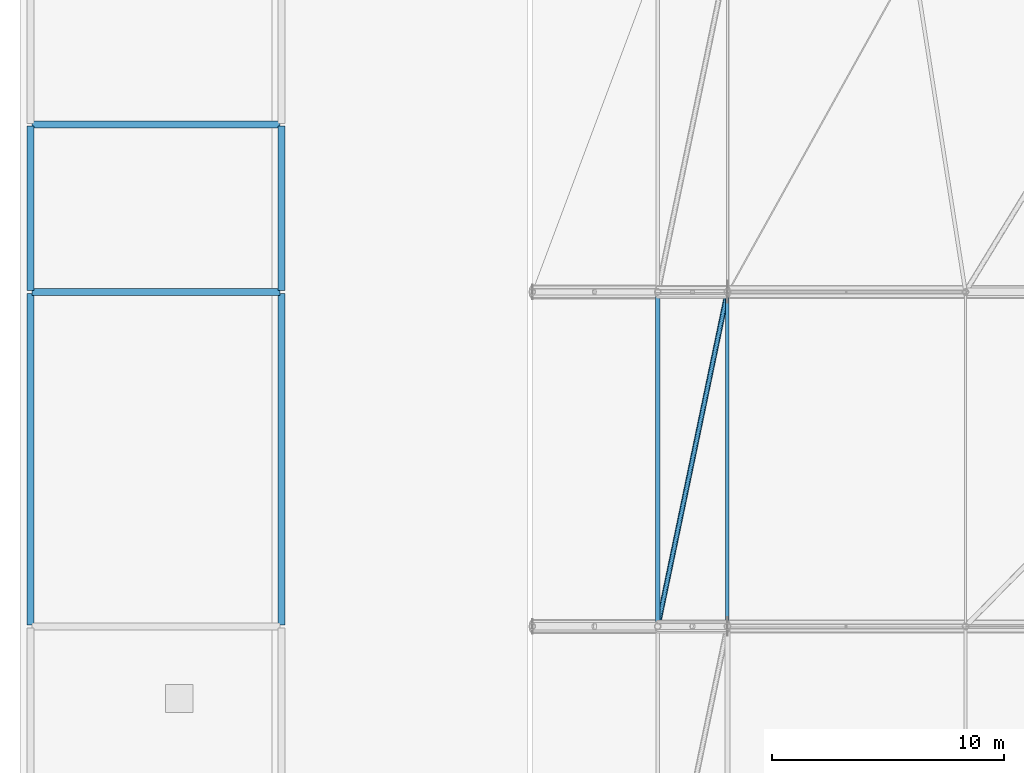
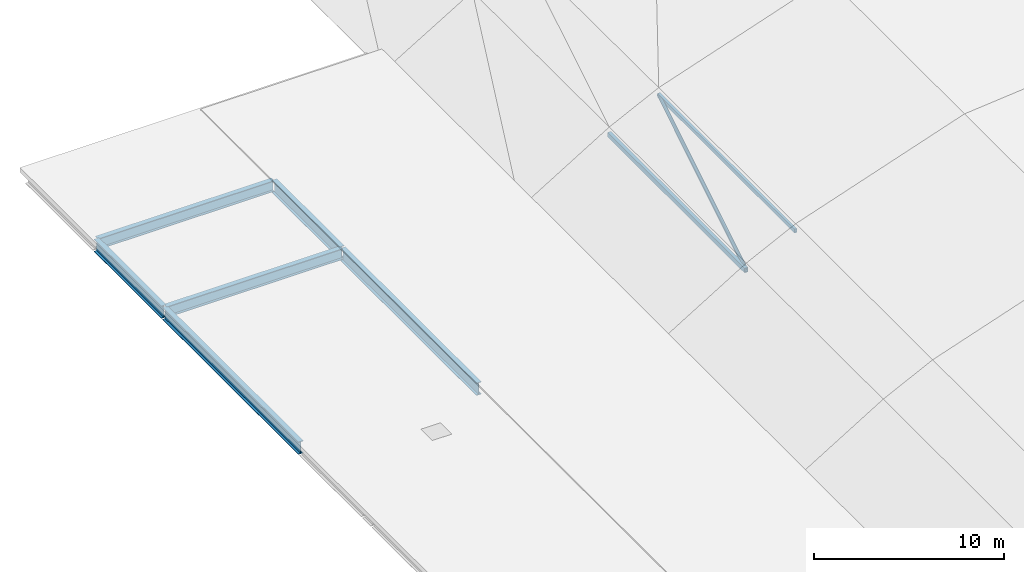
# One storey, part 10 of 36: 6 beams, 3 members.
"""IFC4 building model written with IfcOpenShell, lengths in metres."""

import ifcopenshell
import ifcopenshell.guid

model = None  # the IFC model being written
_history = None  # IfcOwnerHistory: only IFC2X3 demands one
_inside = {}  # id of a spatial element -> (the spatial element, [elements in it])
_under = {}  # id of a project, library or spatial element -> (it, [spatial elements below it])
_declared = {}  # id of a project -> (the project, [libraries it declares])
_typed = {}  # id of a type object -> (the type object, [elements of that type])
_made_of = {}  # id of a material, layer set ... -> (it, [elements and type objects made of it])


def new_model(schema):
    """Start an empty IFC model of exactly this schema.

    Asked for "IFC4X3", IfcOpenShell would pick the latest addendum, in which some entities
    have other attributes; the version numbers below select the first issue.
    IFC2X3 requires an IfcOwnerHistory on every rooted entity: one is made here for all.
    """
    global model, _history
    if schema == "IFC4X3":
        model = ifcopenshell.file(schema_version=(4, 3, 0, 0))
    else:
        model = ifcopenshell.file(schema=schema)
    _inside.clear()
    _under.clear()
    _declared.clear()
    _typed.clear()
    _made_of.clear()
    _history = None
    if model.schema == "IFC2X3":
        org = make("IfcOrganization", Name="unknown")
        user = make(
            "IfcPersonAndOrganization",
            ThePerson=make("IfcPerson", FamilyName="unknown"),
            TheOrganization=org,
        )
        app = make(
            "IfcApplication",
            ApplicationDeveloper=org,
            Version="unknown",
            ApplicationFullName="unknown",
            ApplicationIdentifier="unknown",
        )
        _history = make(
            "IfcOwnerHistory",
            OwningUser=user,
            OwningApplication=app,
            ChangeAction="ADDED",
            CreationDate=0,
        )
    return model


def make(cls, **values):
    """One entity of the class cls with the attributes given. An attribute that is None is left unset."""
    return model.create_entity(
        cls, **{name: value for name, value in values.items() if value is not None}
    )


def rooted(cls, **values):
    """An entity with a GlobalId (a new one), such as an element, a storey or a relation."""
    return make(cls, GlobalId=ifcopenshell.guid.new(), OwnerHistory=_history, **values)


def si_unit(unit_type, name, prefix=None):
    """IfcSIUnit, for example si_unit("LENGTHUNIT", "METRE", prefix="MILLI")."""
    return make("IfcSIUnit", UnitType=unit_type, Prefix=prefix, Name=name)


def assignment(units):
    """IfcUnitAssignment: the units of a project."""
    return None if units is None else make("IfcUnitAssignment", Units=units)


def point(xyz):
    """IfcCartesianPoint."""
    return None if xyz is None else make("IfcCartesianPoint", Coordinates=xyz)


def direction(xyz):
    """IfcDirection."""
    return None if xyz is None else make("IfcDirection", DirectionRatios=xyz)


def frame(location, z_axis=None, x_axis=None):
    """IfcAxis2Placement3D, a coordinate frame: its origin and axes. An axis left out is left unset."""
    return make(
        "IfcAxis2Placement3D",
        Location=point(location),
        Axis=direction(z_axis),
        RefDirection=direction(x_axis),
    )


def frame_2d(location, x_axis=None):
    """IfcAxis2Placement2D, a coordinate frame in the plane: its origin and x axis."""
    return make(
        "IfcAxis2Placement2D", Location=point(location), RefDirection=direction(x_axis)
    )


def origin():
    """The frame at (0, 0, 0) with its axes left unset."""
    return frame((0.0, 0.0, 0.0))


def origin_2d():
    """The frame at (0, 0) in the plane with its x axis left unset."""
    return frame_2d((0.0, 0.0))


def place(relative_to, where):
    """IfcLocalPlacement: puts the frame where relative to a parent placement (None: the world)."""
    return make(
        "IfcLocalPlacement", PlacementRelTo=relative_to, RelativePlacement=where
    )


def context(
    kind, dimensions, precision=None, world=None, true_north=None, identifier=None
):
    """IfcGeometricRepresentationContext, for example the 3D "Model" context."""
    return make(
        "IfcGeometricRepresentationContext",
        ContextIdentifier=identifier,
        ContextType=kind,
        CoordinateSpaceDimension=dimensions,
        Precision=precision,
        WorldCoordinateSystem=world,
        TrueNorth=true_north,
    )


def subcontext(parent, identifier, kind, view, scale=None):
    """IfcGeometricRepresentationSubContext, for example "Body" below "Model"."""
    return make(
        "IfcGeometricRepresentationSubContext",
        ContextIdentifier=identifier,
        ContextType=kind,
        ParentContext=parent,
        TargetScale=scale,
        TargetView=view,
    )


def project(units=None, contexts=None):
    """IfcProject with its units and contexts."""
    return rooted(
        "IfcProject",
        Name="project",
        RepresentationContexts=contexts,
        UnitsInContext=assignment(units),
    )


def spatial(cls, under=None, at=None, **own):
    """A site, building, storey or space (cls), placed at a placement, below another one or the project."""
    s = rooted(cls, ObjectPlacement=at, **own)
    if under is not None:
        _under.setdefault(under.id(), (under, []))[1].append(s)
    return s


def profile(cls, at=None, kind="AREA", **sizes):
    """A parametric profile (cls). Its sizes go by their IFC names, for example OverallWidth=200.0."""
    return make(cls, ProfileType=kind, Position=at, **sizes)


def hollow_rectangle(**sizes):
    """IfcRectangleHollowProfileDef."""
    return profile("IfcRectangleHollowProfileDef", **sizes)


def hollow_circle(**sizes):
    """IfcCircleHollowProfileDef."""
    return profile("IfcCircleHollowProfileDef", **sizes)


def i_section(**sizes):
    """IfcIShapeProfileDef."""
    return profile("IfcIShapeProfileDef", **sizes)


def extrude(swept, where, along, depth):
    """IfcExtrudedAreaSolid: the profile swept, set in the frame where, extruded along a direction by depth."""
    return make(
        "IfcExtrudedAreaSolid",
        SweptArea=swept,
        Position=where,
        ExtrudedDirection=direction(along),
        Depth=depth,
    )


def shape(context_of_items, identifier, shape_type, items):
    """IfcShapeRepresentation: the items that make up one representation, for example the "Body"."""
    return make(
        "IfcShapeRepresentation",
        ContextOfItems=context_of_items,
        RepresentationIdentifier=identifier,
        RepresentationType=shape_type,
        Items=items,
    )


def material(Name=None, Category=None):
    """IfcMaterial."""
    return make("IfcMaterial", Name=Name, Category=Category)


def material_profile(
    of_material, cross_section, Name=None, Category=None, Priority=None
):
    """IfcMaterialProfile: a cross section and its material."""
    return make(
        "IfcMaterialProfile",
        Name=Name,
        Material=of_material,
        Profile=cross_section,
        Priority=Priority,
        Category=Category,
    )


def profile_set(profiles, Name=None, composite=None):
    """IfcMaterialProfileSet."""
    return make(
        "IfcMaterialProfileSet",
        Name=Name,
        MaterialProfiles=profiles,
        CompositeProfile=composite,
    )


def made_of(thing, what):
    """Note that an element or type object is made of a material, layer set ...; save() writes the relation."""
    if what is not None:
        _made_of.setdefault(what.id(), (what, []))[1].append(thing)
    return thing


def type_object(cls, material=None, **own):
    """A type object (cls), such as IfcWallType, which elements share."""
    return made_of(rooted(cls, **own), material)


def element(
    cls,
    number,
    at=None,
    inside=None,
    cuts=None,
    type_object=None,
    material=None,
    context=None,
    identifier="Body",
    shape_type=None,
    held_by="IfcProductDefinitionShape",
    body=None,
    shapes=None,
    **own,
):
    """One element of the class cls, such as IfcWall. Its Tag is "e" and its number.

    at: its placement. inside: the storey or other place that contains it. cuts: it is an
    opening in that element (IfcRelVoidsElement). A single representation is given by context,
    identifier, shape_type and body (its items); several are given by shapes. held_by: the class
    of the entity that holds the representations. save() writes the other relations.
    """
    e = rooted(cls, Tag="e%d" % number, ObjectPlacement=at, **own)
    if body is not None:
        shapes = [shape(context, identifier, shape_type, body)]
    if shapes is not None:
        e.Representation = make(held_by, Representations=shapes)
    if inside is not None:
        _inside.setdefault(inside.id(), (inside, []))[1].append(e)
    if cuts is not None:
        rooted(
            "IfcRelVoidsElement", RelatingBuildingElement=cuts, RelatedOpeningElement=e
        )
    if type_object is not None:
        _typed.setdefault(type_object.id(), (type_object, []))[1].append(e)
    return made_of(e, material)


def aggregate(whole, parts):
    """IfcRelAggregates: a whole, such as a stair, and the parts it consists of."""
    return rooted("IfcRelAggregates", RelatingObject=whole, RelatedObjects=parts)


def save(model, path):
    """Write the relations noted so far, then the file.

    IfcRelAggregates (storeys below a building ...), IfcRelContainedInSpatialStructure (elements
    in a storey), IfcRelDefinesByType, IfcRelAssociatesMaterial and IfcRelDeclares: one each for
    every whole, place, type object, material and project.
    """
    for whole, parts in _under.values():
        aggregate(whole, parts)
    for where, things in _inside.values():
        rooted(
            "IfcRelContainedInSpatialStructure",
            RelatedElements=things,
            RelatingStructure=where,
        )
    for kind, things in _typed.values():
        rooted("IfcRelDefinesByType", RelatedObjects=things, RelatingType=kind)
    for what, things in _made_of.values():
        rooted("IfcRelAssociatesMaterial", RelatedObjects=things, RelatingMaterial=what)
    for by, libraries in _declared.values():
        rooted("IfcRelDeclares", RelatingContext=by, RelatedDefinitions=libraries)
    model.write(path)


model = new_model("IFC4")

# Units and contexts
model_context = context("Model", 3, precision=1e-05, world=origin(), true_north=direction((0.0, 1.0)))
body_context = subcontext(model_context, "Body", "Model", "MODEL_VIEW")
ifc_project = project(units=[si_unit("LENGTHUNIT", "METRE"), si_unit("AREAUNIT", "SQUARE_METRE"), si_unit("VOLUMEUNIT", "CUBIC_METRE"), si_unit("PLANEANGLEUNIT", "RADIAN"), si_unit("MASSUNIT", "GRAM", prefix="KILO")], contexts=[model_context])

# Site, building, storey
site_placement = place(None, origin())
site = spatial("IfcSite", under=ifc_project, at=site_placement, CompositionType="ELEMENT")
building_placement = place(site_placement, origin())
building = spatial("IfcBuilding", under=site, at=building_placement, Name="Koshinbarg Plaza Stadium", CompositionType="ELEMENT")
storey_placement = place(building_placement, frame((0.0, 0.0, 34.199951171875)))
storey = spatial("IfcBuildingStorey", under=building, at=storey_placement, Name="RF", CompositionType="ELEMENT", Elevation=34.199951171875)

# Beams
ifc_material = material(Name="Steel S355", Category="steel")
ifc_material_profile_1 = material_profile(ifc_material, i_section(OverallWidth=0.300048828125, OverallDepth=0.699951171875, WebThickness=0.01708984375, FlangeThickness=0.031982421875, at=origin_2d()), Name="HEB 700")
ifc_profile_set_1 = profile_set([ifc_material_profile_1], Name="Steel S355")
beam_type_1 = type_object("IfcBeamType", Name="BM-SGIR-03", PredefinedType="USERDEFINED", material=ifc_profile_set_1)
for number, where, z_axis, x_axis, name in (
    (1, (24.659912109375, 97.5, -0.64990234375), (1.0, 0.0, 0.0), (0.0, 1.0, 0.0), "RF roof girder N/5-6"),
    (2, (24.659912109375, 104.699951171875, -0.64990234375), (1.0, 0.0, 0.0), (0.0, 1.0, 0.0), "RF roof girder P/5-6"),
):
    element("IfcBeam", number, at=place(storey_placement, frame(where, z_axis=z_axis, x_axis=x_axis)), inside=storey, type_object=beam_type_1, Name=name, ObjectType="GIRDER", PredefinedType="USERDEFINED", context=body_context, shape_type="SweptSolid", body=[
        extrude(i_section(OverallWidth=0.300048828125, OverallDepth=0.699951171875, WebThickness=0.01708984375, FlangeThickness=0.031982421875, at=origin_2d()), origin(), (0.0, 0.0, 1.0), 10.68017578125),
    ])
ifc_material_profile_2 = material_profile(ifc_material, i_section(OverallWidth=0.300048828125, OverallDepth=0.800048828125, WebThickness=0.017578125, FlangeThickness=0.032958984375, at=origin_2d()), Name="HEB 800")
ifc_profile_set_2 = profile_set([ifc_material_profile_2], Name="Steel S355")
beam_type_2 = type_object("IfcBeamType", Name="BM-SGIR-04", PredefinedType="USERDEFINED", material=ifc_profile_set_2)
beam_1_placement = place(storey_placement, frame((24.60009765625, 83.159912109375, -0.699951171875), z_axis=(0.0, 1.0, 0.0), x_axis=(-1.0, 0.0, 0.0)))
element("IfcBeam", 3, at=beam_1_placement, inside=storey, type_object=beam_type_2, Name="RF roof girder 5/M-N", ObjectType="GIRDER", PredefinedType="USERDEFINED", context=body_context, shape_type="SweptSolid", body=[
    extrude(i_section(OverallWidth=0.300048828125, OverallDepth=0.800048828125, WebThickness=0.017578125, FlangeThickness=0.032958984375, at=origin_2d()), origin(), (0.0, 0.0, 1.0), 14.280029296875),
])
beam_2_placement = place(storey_placement, frame((24.60009765625, 97.56005859375, -0.699951171875), z_axis=(0.0, 1.0, 0.0), x_axis=(-1.0, 0.0, 0.0)))
element("IfcBeam", 4, at=beam_2_placement, inside=storey, type_object=beam_type_2, Name="RF roof girder 5/N-P", ObjectType="GIRDER", PredefinedType="USERDEFINED", context=body_context, shape_type="SweptSolid", body=[
    extrude(i_section(OverallWidth=0.300048828125, OverallDepth=0.800048828125, WebThickness=0.017578125, FlangeThickness=0.032958984375, at=origin_2d()), origin(), (0.0, 0.0, 1.0), 7.079833984375),
])
beam_3_placement = place(storey_placement, frame((35.39990234375, 83.159912109375, -0.699951171875), z_axis=(0.0, 1.0, 0.0), x_axis=(-1.0, 0.0, 0.0)))
element("IfcBeam", 5, at=beam_3_placement, inside=storey, type_object=beam_type_2, Name="RF roof girder 6/M-N", ObjectType="GIRDER", PredefinedType="USERDEFINED", context=body_context, shape_type="SweptSolid", body=[
    extrude(i_section(OverallWidth=0.300048828125, OverallDepth=0.800048828125, WebThickness=0.017578125, FlangeThickness=0.032958984375, at=origin_2d()), origin(), (0.0, 0.0, 1.0), 14.280029296875),
])
beam_4_placement = place(storey_placement, frame((35.39990234375, 97.56005859375, -0.699951171875), z_axis=(0.0, 1.0, 0.0), x_axis=(-1.0, 0.0, 0.0)))
element("IfcBeam", 6, at=beam_4_placement, inside=storey, type_object=beam_type_2, Name="RF roof girder 6/N-P", ObjectType="GIRDER", PredefinedType="USERDEFINED", context=body_context, shape_type="SweptSolid", body=[
    extrude(i_section(OverallWidth=0.300048828125, OverallDepth=0.800048828125, WebThickness=0.017578125, FlangeThickness=0.032958984375, at=origin_2d()), origin(), (0.0, 0.0, 1.0), 7.079833984375),
])

# Members
ifc_material_profile_3 = material_profile(ifc_material, hollow_circle(Radius=0.109619140625, WallThickness=0.010009765625, at=origin_2d()), Name="CHS 219.1x10")
ifc_profile_set_3 = profile_set([ifc_material_profile_3], Name="Steel S355")
member_type_1 = type_object("IfcMemberType", Name="MB-BRACE-03", PredefinedType="BRACE", material=ifc_profile_set_3)
member_1_placement = place(storey_placement, frame((51.60009765625, 83.10009765625, 1.284912109375), z_axis=(0.202937656498, 0.974094145148, 0.099784287155), x_axis=(-0.978980143565, 0.203955579738, 0.0)))
element("IfcMember", 7, at=member_1_placement, inside=storey, type_object=member_type_1, Name="Roof plan wind brace west bay 5.2", PredefinedType="BRACE", context=body_context, shape_type="SweptSolid", body=[
    extrude(hollow_circle(Radius=0.109619140625, WallThickness=0.010009765625, at=origin_2d()), origin(), (0.0, 0.0, 1.0), 14.782958984375),
])
ifc_material_profile_4 = material_profile(ifc_material, hollow_rectangle(XDim=0.199951171875, YDim=0.300048828125, WallThickness=0.012451171875, at=origin_2d()), Name="RHS 300x200x12.5")
ifc_profile_set_4 = profile_set([ifc_material_profile_4], Name="Steel S355")
member_type_2 = type_object("IfcMemberType", Name="MB-PURL-01", PredefinedType="PURLIN", material=ifc_profile_set_4)
member_2_placement = place(storey_placement, frame((51.60009765625, 83.10009765625, 1.264892578125), z_axis=(0.0, 1.0, 0.0), x_axis=(-1.0, 0.0, 0.0)))
element("IfcMember", 8, at=member_2_placement, inside=storey, type_object=member_type_2, Name="Roof longitudinal purlin west bay 5.2", PredefinedType="PURLIN", context=body_context, shape_type="SweptSolid", body=[
    extrude(hollow_rectangle(XDim=0.199951171875, YDim=0.300048828125, WallThickness=0.012451171875, at=origin_2d()), origin(), (0.0, 0.0, 1.0), 14.39990234375),
])
ifc_material_profile_5 = material_profile(ifc_material, hollow_rectangle(XDim=0.14990234375, YDim=0.25, WallThickness=0.010009765625, at=origin_2d()), Name="RHS 250x150x10")
ifc_profile_set_5 = profile_set([ifc_material_profile_5], Name="Steel S355")
member_type_3 = type_object("IfcMemberType", Name="MB-PURL-02", PredefinedType="PURLIN", material=ifc_profile_set_5)
member_3_placement = place(storey_placement, frame((54.60009765625, 83.10009765625, 2.739990234375), z_axis=(0.0, 1.0, 0.0), x_axis=(-1.0, 0.0, 0.0)))
element("IfcMember", 9, at=member_3_placement, inside=storey, type_object=member_type_3, Name="Roof longitudinal purlin west bay 5.3", PredefinedType="PURLIN", context=body_context, shape_type="SweptSolid", body=[
    extrude(hollow_rectangle(XDim=0.14990234375, YDim=0.25, WallThickness=0.010009765625, at=origin_2d()), origin(), (0.0, 0.0, 1.0), 14.39990234375),
])

save(model, "model.ifc")
